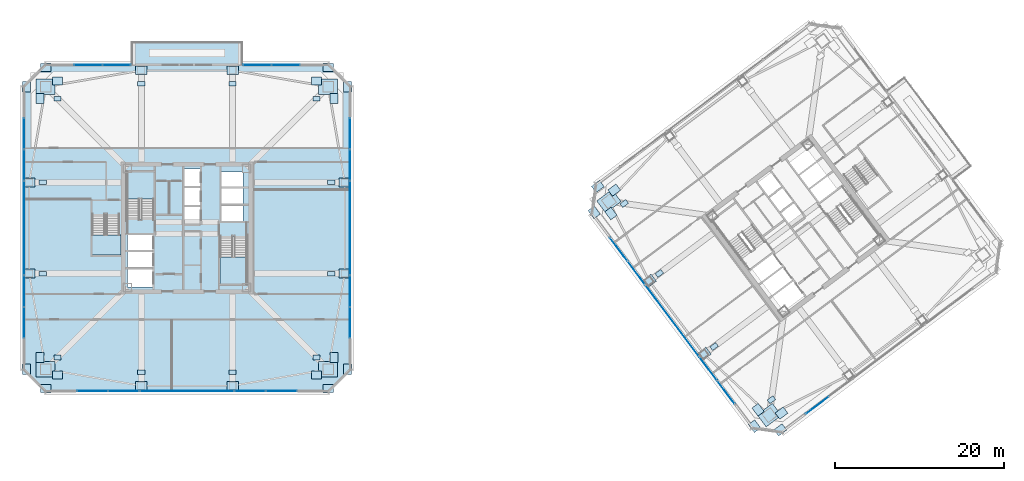
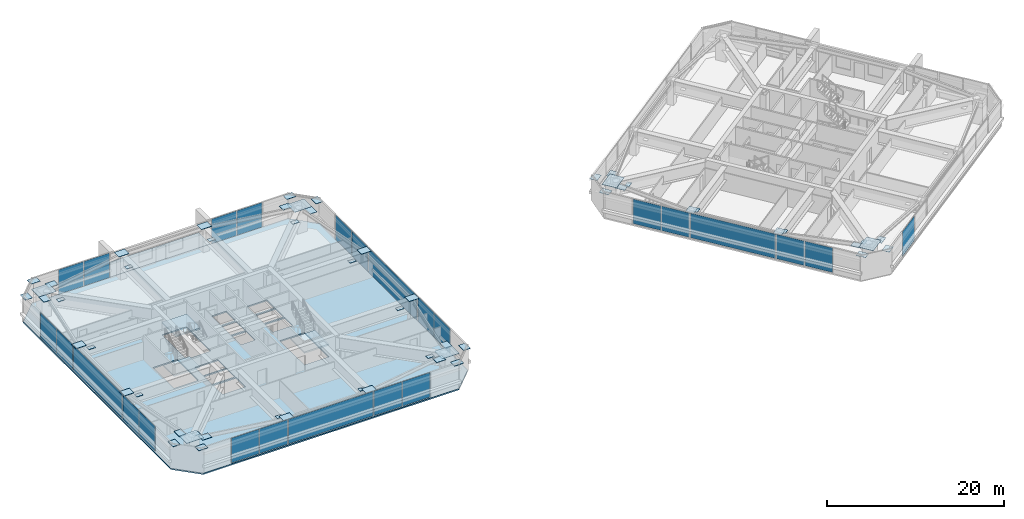
# One storey, part 30 of 42: 81 plates, 5 slabs, 18 elements without a shape of their own.
"""IFC4 building model written with IfcOpenShell, lengths in metres."""

from ifc_helpers import new_model, si_unit, direction, frame, origin, origin_2d, place, context, subcontext, project, spatial, polyline, rectangle, outline, extrude, material, layer, layer_set, type_object, element, aggregate, save


model = new_model("IFC4")

# Units and contexts
model_context = context("Model", 3, precision=1e-05, world=origin(), true_north=direction((0.0, 1.0)))
body_context = subcontext(model_context, "Body", "Model", "MODEL_VIEW")
ifc_project = project(units=[si_unit("LENGTHUNIT", "METRE"), si_unit("AREAUNIT", "SQUARE_METRE"), si_unit("VOLUMEUNIT", "CUBIC_METRE"), si_unit("PLANEANGLEUNIT", "RADIAN"), si_unit("MASSUNIT", "GRAM", prefix="KILO")], contexts=[model_context])

# Site, building, storey
site_placement = place(None, origin())
site = spatial("IfcSite", under=ifc_project, at=site_placement, CompositionType="ELEMENT")
building_placement = place(site_placement, origin())
building = spatial("IfcBuilding", under=site, at=building_placement, Name="Tashvorn Skyway Center", CompositionType="ELEMENT")
storey_placement = place(building_placement, frame((0.0, 0.0, 153.449951171875)))
storey = spatial("IfcBuildingStorey", under=building, at=storey_placement, Name="L41", CompositionType="ELEMENT", Elevation=153.449951171875)

# Curtain wall, plates
ifc_material_1 = material(Name="Thermally broken bronze-anodized aluminium 6063-T6", Category="aluminium")
curtain_wall_type = type_object("IfcCurtainWallType", Name="CW-CW-Z3", PredefinedType="NOTDEFINED", material=ifc_material_1)
curtain_wall_1_placement = place(storey_placement, origin())
curtain_wall_1 = element("IfcCurtainWall", 1, at=curtain_wall_1_placement, inside=storey, type_object=curtain_wall_type, Name="Tower 1 L41 South Unitised Curtain Wall Glazing Group 1", PredefinedType="NOTDEFINED")
ifc_material_2 = material(Name="Low-E solar-control double insulating safety glass", Category="glass")
ifc_layer_1 = layer(ifc_material_2, 0.0400390625)
ifc_layer_set_1 = layer_set([ifc_layer_1], Name="Low-E solar-control double insulating safety glass")
plate_type_1 = type_object("IfcPlateType", Name="CWP-CW-Z3", PredefinedType="CURTAIN_PANEL", material=ifc_layer_set_1)
plate_1_placement = place(storey_placement, frame((53.16796875, 12.719970703125, 0.0751953125), z_axis=(0.0, 0.0, 1.0), x_axis=(-1.0, 0.0, 0.0)))
plate_1 = element("IfcPlate", 2, at=plate_1_placement, type_object=plate_type_1, Name="CW-Z3 panel 1.1", PredefinedType="CURTAIN_PANEL", context=body_context, shape_type="SweptSolid", body=[
    extrude(rectangle(XDim=3.616455078125, YDim=0.0400390625, at=origin_2d()), origin(), (0.0, 0.0, 1.0), 3.39990234375),
])
plate_2_placement = place(storey_placement, frame((49.4765625, 12.719970703125, 0.0751953125), z_axis=(0.0, 0.0, 1.0), x_axis=(-1.0, 0.0, 0.0)))
plate_2 = element("IfcPlate", 3, at=plate_2_placement, type_object=plate_type_1, Name="CW-Z3 panel 2.1", PredefinedType="CURTAIN_PANEL", context=body_context, shape_type="SweptSolid", body=[
    extrude(rectangle(XDim=3.616455078125, YDim=0.0400390625, at=origin_2d()), origin(), (0.0, 0.0, 1.0), 3.39990234375),
])
aggregate(curtain_wall_1, [plate_1, plate_2])

# Curtain wall, plate
curtain_wall_2_placement = place(storey_placement, origin())
curtain_wall_2 = element("IfcCurtainWall", 4, at=curtain_wall_2_placement, inside=storey, type_object=curtain_wall_type, Name="Tower 1 L41 South Unitised Curtain Wall Glazing Group 2", PredefinedType="NOTDEFINED")
plate_3_placement = place(storey_placement, frame((42.0, 12.719970703125, 0.0751953125), z_axis=(0.0, 0.0, 1.0), x_axis=(-1.0, 0.0, 0.0)))
plate_3 = element("IfcPlate", 5, at=plate_3_placement, type_object=plate_type_1, Name="CW-Z3 panel 1.1", PredefinedType="CURTAIN_PANEL", context=body_context, shape_type="SweptSolid", body=[
    extrude(rectangle(XDim=11.03662109375, YDim=0.0400390625, at=origin_2d()), origin(), (0.0, 0.0, 1.0), 3.39990234375),
])
aggregate(curtain_wall_2, [plate_3])

# Curtain wall, plates
curtain_wall_3_placement = place(storey_placement, origin())
curtain_wall_3 = element("IfcCurtainWall", 6, at=curtain_wall_3_placement, inside=storey, type_object=curtain_wall_type, Name="Tower 1 L41 South Unitised Curtain Wall Glazing Group 3", PredefinedType="NOTDEFINED")
plate_4_placement = place(storey_placement, frame((34.5234375, 12.719970703125, 0.0751953125), z_axis=(0.0, 0.0, 1.0), x_axis=(-1.0, 0.0, 0.0)))
plate_4 = element("IfcPlate", 7, at=plate_4_placement, type_object=plate_type_1, Name="CW-Z3 panel 1.1", PredefinedType="CURTAIN_PANEL", context=body_context, shape_type="SweptSolid", body=[
    extrude(rectangle(XDim=3.616455078125, YDim=0.0400390625, at=origin_2d()), origin(), (0.0, 0.0, 1.0), 3.39990234375),
])
plate_5_placement = place(storey_placement, frame((30.83203125, 12.719970703125, 0.0751953125), z_axis=(0.0, 0.0, 1.0), x_axis=(-1.0, 0.0, 0.0)))
plate_5 = element("IfcPlate", 8, at=plate_5_placement, type_object=plate_type_1, Name="CW-Z3 panel 2.1", PredefinedType="CURTAIN_PANEL", context=body_context, shape_type="SweptSolid", body=[
    extrude(rectangle(XDim=3.616455078125, YDim=0.0400390625, at=origin_2d()), origin(), (0.0, 0.0, 1.0), 3.39990234375),
])
aggregate(curtain_wall_3, [plate_4, plate_5])

curtain_wall_4_placement = place(storey_placement, origin())
curtain_wall_4 = element("IfcCurtainWall", 9, at=curtain_wall_4_placement, inside=storey, type_object=curtain_wall_type, Name="Tower 1 L41 West Unitised Curtain Wall Glazing Group 1", PredefinedType="NOTDEFINED")
plate_6_placement = place(storey_placement, frame((22.719970703125, 20.83203125, 0.0751953125), z_axis=(0.0, 0.0, 1.0), x_axis=(0.0, 1.0, 0.0)))
plate_6 = element("IfcPlate", 10, at=plate_6_placement, type_object=plate_type_1, Name="CW-Z3 panel 1.1", PredefinedType="CURTAIN_PANEL", context=body_context, shape_type="SweptSolid", body=[
    extrude(rectangle(XDim=3.616455078125, YDim=0.0400390625, at=origin_2d()), origin(), (0.0, 0.0, 1.0), 3.39990234375),
])
plate_7_placement = place(storey_placement, frame((22.719970703125, 24.5234375, 0.0751953125), z_axis=(0.0, 0.0, 1.0), x_axis=(0.0, 1.0, 0.0)))
plate_7 = element("IfcPlate", 11, at=plate_7_placement, type_object=plate_type_1, Name="CW-Z3 panel 2.1", PredefinedType="CURTAIN_PANEL", context=body_context, shape_type="SweptSolid", body=[
    extrude(rectangle(XDim=3.616455078125, YDim=0.0400390625, at=origin_2d()), origin(), (0.0, 0.0, 1.0), 3.39990234375),
])
aggregate(curtain_wall_4, [plate_6, plate_7])

# Curtain wall, plate
curtain_wall_5_placement = place(storey_placement, origin())
curtain_wall_5 = element("IfcCurtainWall", 12, at=curtain_wall_5_placement, inside=storey, type_object=curtain_wall_type, Name="Tower 1 L41 West Unitised Curtain Wall Glazing Group 2", PredefinedType="NOTDEFINED")
plate_8_placement = place(storey_placement, frame((22.719970703125, 32.0, 0.0751953125), z_axis=(0.0, 0.0, 1.0), x_axis=(0.0, 1.0, 0.0)))
plate_8 = element("IfcPlate", 13, at=plate_8_placement, type_object=plate_type_1, Name="CW-Z3 panel 1.1", PredefinedType="CURTAIN_PANEL", context=body_context, shape_type="SweptSolid", body=[
    extrude(rectangle(XDim=11.03662109375, YDim=0.0400390625, at=origin_2d()), origin(), (0.0, 0.0, 1.0), 3.39990234375),
])
aggregate(curtain_wall_5, [plate_8])

# Curtain wall, plates
curtain_wall_6_placement = place(storey_placement, origin())
curtain_wall_6 = element("IfcCurtainWall", 14, at=curtain_wall_6_placement, inside=storey, type_object=curtain_wall_type, Name="Tower 1 L41 West Unitised Curtain Wall Glazing Group 3", PredefinedType="NOTDEFINED")
plate_9_placement = place(storey_placement, frame((22.719970703125, 39.4765625, 0.0751953125), z_axis=(0.0, 0.0, 1.0), x_axis=(0.0, 1.0, 0.0)))
plate_9 = element("IfcPlate", 15, at=plate_9_placement, type_object=plate_type_1, Name="CW-Z3 panel 1.1", PredefinedType="CURTAIN_PANEL", context=body_context, shape_type="SweptSolid", body=[
    extrude(rectangle(XDim=3.616455078125, YDim=0.0400390625, at=origin_2d()), origin(), (0.0, 0.0, 1.0), 3.39990234375),
])
plate_10_placement = place(storey_placement, frame((22.719970703125, 43.16796875, 0.0751953125), z_axis=(0.0, 0.0, 1.0), x_axis=(0.0, 1.0, 0.0)))
plate_10 = element("IfcPlate", 16, at=plate_10_placement, type_object=plate_type_1, Name="CW-Z3 panel 2.1", PredefinedType="CURTAIN_PANEL", context=body_context, shape_type="SweptSolid", body=[
    extrude(rectangle(XDim=3.616455078125, YDim=0.0400390625, at=origin_2d()), origin(), (0.0, 0.0, 1.0), 3.39990234375),
])
aggregate(curtain_wall_6, [plate_9, plate_10])

curtain_wall_7_placement = place(storey_placement, origin())
curtain_wall_7 = element("IfcCurtainWall", 17, at=curtain_wall_7_placement, inside=storey, type_object=curtain_wall_type, Name="Tower 1 L41 North Curtain Wall L Glazing Group 1", PredefinedType="NOTDEFINED")
plate_11_placement = place(storey_placement, frame((30.32861328125, 51.280029296875, 0.0751953125), z_axis=(0.0, 0.0, 1.0), x_axis=(1.0, 0.0, 0.0)))
plate_11 = element("IfcPlate", 18, at=plate_11_placement, type_object=plate_type_1, Name="CW-Z3 panel 1.1", PredefinedType="CURTAIN_PANEL", context=body_context, shape_type="SweptSolid", body=[
    extrude(rectangle(XDim=3.28076171875, YDim=0.0400390625, at=origin_2d()), origin(), (0.0, 0.0, 1.0), 3.39990234375),
])
plate_12_placement = place(storey_placement, frame((33.6845703125, 51.280029296875, 0.0751953125), z_axis=(0.0, 0.0, 1.0), x_axis=(1.0, 0.0, 0.0)))
plate_12 = element("IfcPlate", 19, at=plate_12_placement, type_object=plate_type_1, Name="CW-Z3 panel 2.1", PredefinedType="CURTAIN_PANEL", context=body_context, shape_type="SweptSolid", body=[
    extrude(rectangle(XDim=3.28076171875, YDim=0.0400390625, at=origin_2d()), origin(), (0.0, 0.0, 1.0), 3.39990234375),
])
aggregate(curtain_wall_7, [plate_11, plate_12])

curtain_wall_8_placement = place(storey_placement, origin())
curtain_wall_8 = element("IfcCurtainWall", 20, at=curtain_wall_8_placement, inside=storey, type_object=curtain_wall_type, Name="Tower 1 L41 North Curtain Wall R Glazing Group 1", PredefinedType="NOTDEFINED")
plate_13_placement = place(storey_placement, frame((50.3154296875, 51.280029296875, 0.0751953125), z_axis=(0.0, 0.0, 1.0), x_axis=(1.0, 0.0, 0.0)))
plate_13 = element("IfcPlate", 21, at=plate_13_placement, type_object=plate_type_1, Name="CW-Z3 panel 1.1", PredefinedType="CURTAIN_PANEL", context=body_context, shape_type="SweptSolid", body=[
    extrude(rectangle(XDim=3.28076171875, YDim=0.0400390625, at=origin_2d()), origin(), (0.0, 0.0, 1.0), 3.39990234375),
])
plate_14_placement = place(storey_placement, frame((53.67138671875, 51.280029296875, 0.0751953125), z_axis=(0.0, 0.0, 1.0), x_axis=(1.0, 0.0, 0.0)))
plate_14 = element("IfcPlate", 22, at=plate_14_placement, type_object=plate_type_1, Name="CW-Z3 panel 2.1", PredefinedType="CURTAIN_PANEL", context=body_context, shape_type="SweptSolid", body=[
    extrude(rectangle(XDim=3.28076171875, YDim=0.0400390625, at=origin_2d()), origin(), (0.0, 0.0, 1.0), 3.39990234375),
])
aggregate(curtain_wall_8, [plate_13, plate_14])

curtain_wall_9_placement = place(storey_placement, origin())
curtain_wall_9 = element("IfcCurtainWall", 23, at=curtain_wall_9_placement, inside=storey, type_object=curtain_wall_type, Name="Tower 1 L41 East Unitised Curtain Wall Glazing Group 1", PredefinedType="NOTDEFINED")
plate_15_placement = place(storey_placement, frame((61.280029296875, 43.16796875, 0.0751953125), z_axis=(0.0, 0.0, 1.0), x_axis=(0.0, -1.0, 0.0)))
plate_15 = element("IfcPlate", 24, at=plate_15_placement, type_object=plate_type_1, Name="CW-Z3 panel 1.1", PredefinedType="CURTAIN_PANEL", context=body_context, shape_type="SweptSolid", body=[
    extrude(rectangle(XDim=3.616455078125, YDim=0.0400390625, at=origin_2d()), origin(), (0.0, 0.0, 1.0), 3.39990234375),
])
plate_16_placement = place(storey_placement, frame((61.280029296875, 39.4765625, 0.0751953125), z_axis=(0.0, 0.0, 1.0), x_axis=(0.0, -1.0, 0.0)))
plate_16 = element("IfcPlate", 25, at=plate_16_placement, type_object=plate_type_1, Name="CW-Z3 panel 2.1", PredefinedType="CURTAIN_PANEL", context=body_context, shape_type="SweptSolid", body=[
    extrude(rectangle(XDim=3.616455078125, YDim=0.0400390625, at=origin_2d()), origin(), (0.0, 0.0, 1.0), 3.39990234375),
])
aggregate(curtain_wall_9, [plate_15, plate_16])

# Curtain wall, plate
curtain_wall_10_placement = place(storey_placement, origin())
curtain_wall_10 = element("IfcCurtainWall", 26, at=curtain_wall_10_placement, inside=storey, type_object=curtain_wall_type, Name="Tower 1 L41 East Unitised Curtain Wall Glazing Group 2", PredefinedType="NOTDEFINED")
plate_17_placement = place(storey_placement, frame((61.280029296875, 32.0, 0.0751953125), z_axis=(0.0, 0.0, 1.0), x_axis=(0.0, -1.0, 0.0)))
plate_17 = element("IfcPlate", 27, at=plate_17_placement, type_object=plate_type_1, Name="CW-Z3 panel 1.1", PredefinedType="CURTAIN_PANEL", context=body_context, shape_type="SweptSolid", body=[
    extrude(rectangle(XDim=11.03662109375, YDim=0.0400390625, at=origin_2d()), origin(), (0.0, 0.0, 1.0), 3.39990234375),
])
aggregate(curtain_wall_10, [plate_17])

# Curtain wall, plates
curtain_wall_11_placement = place(storey_placement, origin())
curtain_wall_11 = element("IfcCurtainWall", 28, at=curtain_wall_11_placement, inside=storey, type_object=curtain_wall_type, Name="Tower 1 L41 East Unitised Curtain Wall Glazing Group 3", PredefinedType="NOTDEFINED")
plate_18_placement = place(storey_placement, frame((61.280029296875, 24.5234375, 0.0751953125), z_axis=(0.0, 0.0, 1.0), x_axis=(0.0, -1.0, 0.0)))
plate_18 = element("IfcPlate", 29, at=plate_18_placement, type_object=plate_type_1, Name="CW-Z3 panel 1.1", PredefinedType="CURTAIN_PANEL", context=body_context, shape_type="SweptSolid", body=[
    extrude(rectangle(XDim=3.616455078125, YDim=0.0400390625, at=origin_2d()), origin(), (0.0, 0.0, 1.0), 3.39990234375),
])
plate_19_placement = place(storey_placement, frame((61.280029296875, 20.83203125, 0.0751953125), z_axis=(0.0, 0.0, 1.0), x_axis=(0.0, -1.0, 0.0)))
plate_19 = element("IfcPlate", 30, at=plate_19_placement, type_object=plate_type_1, Name="CW-Z3 panel 2.1", PredefinedType="CURTAIN_PANEL", context=body_context, shape_type="SweptSolid", body=[
    extrude(rectangle(XDim=3.616455078125, YDim=0.0400390625, at=origin_2d()), origin(), (0.0, 0.0, 1.0), 3.39990234375),
])
aggregate(curtain_wall_11, [plate_18, plate_19])

# Curtain wall, plate
curtain_wall_12_placement = place(storey_placement, origin())
curtain_wall_12 = element("IfcCurtainWall", 31, at=curtain_wall_12_placement, inside=storey, type_object=curtain_wall_type, Name="Tower 2 L41 South Unitised Curtain Wall Glazing Group 3", PredefinedType="NOTDEFINED")
plate_20_placement = place(storey_placement, frame((116.513671875, 11.03515625, 0.0751953125), z_axis=(0.0, 0.0, 1.0), x_axis=(-0.799996599484, -0.600004533995, 0.0)))
plate_20 = element("IfcPlate", 32, at=plate_20_placement, type_object=plate_type_1, Name="CW-Z3 panel 2.1", PredefinedType="CURTAIN_PANEL", context=body_context, shape_type="SweptSolid", body=[
    extrude(rectangle(XDim=3.41650390625, YDim=0.0400390625, at=origin_2d()), origin(), (0.0, 0.0, 1.0), 3.39990234375),
])
aggregate(curtain_wall_12, [plate_20])

# Curtain wall, plates
curtain_wall_13_placement = place(storey_placement, origin())
curtain_wall_13 = element("IfcCurtainWall", 33, at=curtain_wall_13_placement, inside=storey, type_object=curtain_wall_type, Name="Tower 2 L41 West Unitised Curtain Wall Glazing Group 1", PredefinedType="NOTDEFINED")
plate_21_placement = place(storey_placement, frame((105.716796875, 12.57763671875, 0.0751953125), z_axis=(0.0, 0.0, 1.0), x_axis=(-0.600004533995, 0.799996599484, 0.0)))
plate_21 = element("IfcPlate", 34, at=plate_21_placement, type_object=plate_type_1, Name="CW-Z3 panel 1.1", PredefinedType="CURTAIN_PANEL", context=body_context, shape_type="SweptSolid", body=[
    extrude(rectangle(XDim=3.41650390625, YDim=0.0400390625, at=origin_2d()), origin(), (0.0, 0.0, 1.0), 3.39990234375),
])
plate_22_placement = place(storey_placement, frame((103.621826171875, 15.370849609375, 0.0751953125), z_axis=(0.0, 0.0, 1.0), x_axis=(-0.600004533995, 0.799996599484, 0.0)))
plate_22 = element("IfcPlate", 35, at=plate_22_placement, type_object=plate_type_1, Name="CW-Z3 panel 2.1", PredefinedType="CURTAIN_PANEL", context=body_context, shape_type="SweptSolid", body=[
    extrude(rectangle(XDim=3.41650390625, YDim=0.0400390625, at=origin_2d()), origin(), (0.0, 0.0, 1.0), 3.39990234375),
])
aggregate(curtain_wall_13, [plate_21, plate_22])

# Curtain wall, plate
curtain_wall_14_placement = place(storey_placement, origin())
curtain_wall_14 = element("IfcCurtainWall", 36, at=curtain_wall_14_placement, inside=storey, type_object=curtain_wall_type, Name="Tower 2 L41 West Unitised Curtain Wall Glazing Group 2", PredefinedType="NOTDEFINED")
plate_23_placement = place(storey_placement, frame((99.3759765625, 21.031982421875, 0.0751953125), z_axis=(0.0, 0.0, 1.0), x_axis=(-0.599996977339, 0.800002266987, 0.0)))
plate_23 = element("IfcPlate", 37, at=plate_23_placement, type_object=plate_type_1, Name="CW-Z3 panel 1.1", PredefinedType="CURTAIN_PANEL", context=body_context, shape_type="SweptSolid", body=[
    extrude(rectangle(XDim=10.436767578125, YDim=0.0400390625, at=origin_2d()), origin(), (0.0, 0.0, 1.0), 3.39990234375),
])
aggregate(curtain_wall_14, [plate_23])

# Curtain wall, plates
curtain_wall_15_placement = place(storey_placement, origin())
curtain_wall_15 = element("IfcCurtainWall", 38, at=curtain_wall_15_placement, inside=storey, type_object=curtain_wall_type, Name="Tower 2 L41 West Unitised Curtain Wall Glazing Group 3", PredefinedType="NOTDEFINED")
plate_24_placement = place(storey_placement, frame((95.130126953125, 26.693359375, 0.0751953125), z_axis=(0.0, 0.0, 1.0), x_axis=(-0.600004533995, 0.799996599484, 0.0)))
plate_24 = element("IfcPlate", 39, at=plate_24_placement, type_object=plate_type_1, Name="CW-Z3 panel 1.1", PredefinedType="CURTAIN_PANEL", context=body_context, shape_type="SweptSolid", body=[
    extrude(rectangle(XDim=3.41650390625, YDim=0.0400390625, at=origin_2d()), origin(), (0.0, 0.0, 1.0), 3.39990234375),
])
plate_25_placement = place(storey_placement, frame((93.03515625, 29.486328125, 0.0751953125), z_axis=(0.0, 0.0, 1.0), x_axis=(-0.600004533995, 0.799996599484, 0.0)))
plate_25 = element("IfcPlate", 40, at=plate_25_placement, type_object=plate_type_1, Name="CW-Z3 panel 2.1", PredefinedType="CURTAIN_PANEL", context=body_context, shape_type="SweptSolid", body=[
    extrude(rectangle(XDim=3.41650390625, YDim=0.0400390625, at=origin_2d()), origin(), (0.0, 0.0, 1.0), 3.39990234375),
])
aggregate(curtain_wall_15, [plate_24, plate_25])

# Plates
ifc_material_3 = material(Name="Steel ASTM A572 Grade 50", Category="steel")
ifc_layer_2 = layer(ifc_material_3, 0.034912109375)
ifc_layer_set_2 = layer_set([ifc_layer_2], Name="Steel ASTM A572 Grade 50")
plate_type_2 = type_object("IfcPlateType", Name="PLT-CAP-35", PredefinedType="USERDEFINED", material=ifc_layer_set_2)
for number, where, z_axis, x_axis, name in (
    (41, (25.300048828125, 13.02001953125, 3.3173828125), (0.0, 0.0, 1.0), (1.0, 0.0, 0.0), "Tower 1 Zone 3 S Brace Top End Plate L"),
    (42, (58.699951171875, 13.02001953125, 3.3173828125), (0.0, 0.0, 1.0), (1.0, 0.0, 0.0), "Tower 1 Zone 3 S Brace Top End Plate R"),
    (43, (60.97998046875, 15.300048828125, 3.3173828125), (0.0, 0.0, 1.0), (0.0, 1.0, 0.0), "Tower 1 Zone 3 E Brace Top End Plate L"),
    (44, (60.97998046875, 48.699951171875, 3.3173828125), (0.0, 0.0, 1.0), (0.0, 1.0, 0.0), "Tower 1 Zone 3 E Brace Top End Plate R"),
    (45, (58.699951171875, 50.97998046875, 3.3173828125), (0.0, 0.0, 1.0), (-1.0, 0.0, 0.0), "Tower 1 Zone 3 N Brace Top End Plate L"),
    (46, (25.300048828125, 50.97998046875, 3.3173828125), (0.0, 0.0, 1.0), (-1.0, 0.0, 0.0), "Tower 1 Zone 3 N Brace Top End Plate R"),
    (47, (23.02001953125, 48.699951171875, 3.3173828125), (0.0, 0.0, 1.0), (0.0, -1.0, 0.0), "Tower 1 Zone 3 W Brace Top End Plate L"),
    (48, (23.02001953125, 15.300048828125, 3.3173828125), (0.0, 0.0, 1.0), (0.0, -1.0, 0.0), "Tower 1 Zone 3 W Brace Top End Plate R"),
    (49, (112.14794921875, 8.135986328125, 3.3173828125), (0.0, 0.0, 1.0), (0.799999996291, 0.600000004945, 0.0), "Tower 2 Zone 3 S Brace Top End Plate L"),
    (50, (90.572021484375, 36.904052734375, 3.3173828125), (0.0, 0.0, 1.0), (-0.799999996291, -0.600000004945, 0.0), "Tower 2 Zone 3 N Brace Top End Plate R"),
    (51, (90.135986328125, 33.85205078125, 3.3173828125), (0.0, 0.0, 1.0), (0.600000004945, -0.799999996291, 0.0), "Tower 2 Zone 3 W Brace Top End Plate L"),
    (52, (109.095947265625, 8.572021484375, 3.3173828125), (0.0, 0.0, 1.0), (0.600000004945, -0.799999996291, 0.0), "Tower 2 Zone 3 W Brace Top End Plate R"),
    (53, (26.699951171875, 14.6201171875, 3.3173828125), (0.0, 0.0, 1.0), (1.0, 0.0, 0.0), "Tower 1 Zone 4 S Brace Base End Plate L"),
    (54, (57.300048828125, 14.6201171875, 3.3173828125), (0.0, 0.0, 1.0), (1.0, 0.0, 0.0), "Tower 1 Zone 4 S Brace Base End Plate R"),
    (55, (59.3798828125, 16.699951171875, 3.3173828125), (0.0, 0.0, 1.0), (0.0, 1.0, 0.0), "Tower 1 Zone 4 E Brace Base End Plate L"),
    (56, (59.3798828125, 47.300048828125, 3.3173828125), (0.0, 0.0, 1.0), (0.0, 1.0, 0.0), "Tower 1 Zone 4 E Brace Base End Plate R"),
    (57, (57.300048828125, 49.3798828125, 3.3173828125), (0.0, 0.0, 1.0), (-1.0, 0.0, 0.0), "Tower 1 Zone 4 N Brace Base End Plate L"),
    (58, (26.699951171875, 49.3798828125, 3.3173828125), (0.0, 0.0, 1.0), (-1.0, 0.0, 0.0), "Tower 1 Zone 4 N Brace Base End Plate R"),
    (59, (24.6201171875, 47.300048828125, 3.3173828125), (0.0, 0.0, 1.0), (0.0, -1.0, 0.0), "Tower 1 Zone 4 W Brace Base End Plate L"),
    (60, (24.6201171875, 16.699951171875, 3.3173828125), (0.0, 0.0, 1.0), (0.0, -1.0, 0.0), "Tower 1 Zone 4 W Brace Base End Plate R"),
    (61, (112.2880859375, 10.115966796875, 3.3173828125), (0.0, 0.0, 1.0), (0.799999996291, 0.600000004945, 0.0), "Tower 2 Zone 4 S Brace Base End Plate L"),
    (62, (92.511962890625, 36.48388671875, 3.3173828125), (0.0, 0.0, 1.0), (-0.799999996291, -0.600000004945, 0.0), "Tower 2 Zone 4 N Brace Base End Plate R"),
    (63, (92.115966796875, 33.7119140625, 3.3173828125), (0.0, 0.0, 1.0), (0.600000004945, -0.799999996291, 0.0), "Tower 2 Zone 4 W Brace Base End Plate L"),
    (64, (109.51611328125, 10.511962890625, 3.3173828125), (0.0, 0.0, 1.0), (0.600000004945, -0.799999996291, 0.0), "Tower 2 Zone 4 W Brace Base End Plate R"),
):
    element("IfcPlate", number, at=place(storey_placement, frame(where, z_axis=z_axis, x_axis=x_axis)), inside=storey, type_object=plate_type_2, Name=name, ObjectType="END PLATE", PredefinedType="USERDEFINED", context=body_context, shape_type="SweptSolid", body=[
        extrude(rectangle(XDim=1.199951171875, YDim=0.919921875, at=origin_2d()), origin(), (0.0, 0.0, 1.0), 0.034912109375),
    ])
ifc_layer_3 = layer(ifc_material_3, 0.050048828125)
ifc_layer_set_3 = layer_set([ifc_layer_3], Name="Steel ASTM A572 Grade 50")
plate_type_3 = type_object("IfcPlateType", Name="PLT-ENDCAP-1650", PredefinedType="USERDEFINED", material=ifc_layer_set_3)
for number, where, z_axis, x_axis, name in (
    (65, (25.300048828125, 15.300048828125, 3.35986328125), (0.0, 0.0, 1.0), (1.0, 0.0, 0.0), "Tower 1 L41 MC-SW Setback Cap End Plate"),
    (66, (58.699951171875, 15.300048828125, 3.35986328125), (0.0, 0.0, 1.0), (1.0, 0.0, 0.0), "Tower 1 L41 MC-SE Setback Cap End Plate"),
    (67, (58.699951171875, 48.699951171875, 3.35986328125), (0.0, 0.0, 1.0), (1.0, 0.0, 0.0), "Tower 1 L41 MC-NE Setback Cap End Plate"),
    (68, (25.300048828125, 48.699951171875, 3.35986328125), (0.0, 0.0, 1.0), (1.0, 0.0, 0.0), "Tower 1 L41 MC-NW Setback Cap End Plate"),
    (69, (110.840087890625, 9.8798828125, 3.35986328125), (0.0, 0.0, 1.0), (0.799999996291, 0.600000004945, 0.0), "Tower 2 L41 MC-SW Setback Cap End Plate"),
    (70, (91.8798828125, 35.159912109375, 3.35986328125), (0.0, 0.0, 1.0), (0.799999996291, 0.600000004945, 0.0), "Tower 2 L41 MC-NW Setback Cap End Plate"),
):
    element("IfcPlate", number, at=place(storey_placement, frame(where, z_axis=z_axis, x_axis=x_axis)), inside=storey, type_object=plate_type_3, Name=name, ObjectType="END PLATE", PredefinedType="USERDEFINED", context=body_context, shape_type="SweptSolid", body=[
        extrude(rectangle(XDim=2.25, YDim=1.780029296875, at=origin_2d()), origin(), (0.0, 0.0, 1.0), 0.050048828125),
    ])
ifc_layer_4 = layer(ifc_material_3, 0.050048828125)
ifc_layer_set_4 = layer_set([ifc_layer_4], Name="Steel ASTM A572 Grade 50")
plate_type_4 = type_object("IfcPlateType", Name="PLT-ENDCAP-900", PredefinedType="USERDEFINED", material=ifc_layer_set_4)
for number, where, z_axis, x_axis, name in (
    (71, (36.60009765625, 13.35009765625, 3.35986328125), (0.0, 0.0, 1.0), (1.0, 0.0, 0.0), "Tower 1 L41 FC-S1 Setback Cap End Plate"),
    (72, (47.39990234375, 13.35009765625, 3.35986328125), (0.0, 0.0, 1.0), (1.0, 0.0, 0.0), "Tower 1 L41 FC-S2 Setback Cap End Plate"),
    (73, (60.64990234375, 26.60009765625, 3.35986328125), (0.0, 0.0, 1.0), (1.0, 0.0, 0.0), "Tower 1 L41 FC-E1 Setback Cap End Plate"),
    (74, (60.64990234375, 37.39990234375, 3.35986328125), (0.0, 0.0, 1.0), (1.0, 0.0, 0.0), "Tower 1 L41 FC-E2 Setback Cap End Plate"),
    (75, (47.39990234375, 50.64990234375, 3.35986328125), (0.0, 0.0, 1.0), (1.0, 0.0, 0.0), "Tower 1 L41 FC-N1 Setback Cap End Plate"),
    (76, (36.60009765625, 50.64990234375, 3.35986328125), (0.0, 0.0, 1.0), (1.0, 0.0, 0.0), "Tower 1 L41 FC-N2 Setback Cap End Plate"),
    (77, (23.35009765625, 37.39990234375, 3.35986328125), (0.0, 0.0, 1.0), (1.0, 0.0, 0.0), "Tower 1 L41 FC-W1 Setback Cap End Plate"),
    (78, (23.35009765625, 26.60009765625, 3.35986328125), (0.0, 0.0, 1.0), (1.0, 0.0, 0.0), "Tower 1 L41 FC-W2 Setback Cap End Plate"),
    (79, (96.639892578125, 25.72998046875, 3.35986328125), (0.0, 0.0, 1.0), (0.799999996291, 0.600000004945, 0.0), "Tower 2 L41 FC-W1 Setback Cap End Plate"),
    (80, (103.1201171875, 17.090087890625, 3.35986328125), (0.0, 0.0, 1.0), (0.799999996291, 0.600000004945, 0.0), "Tower 2 L41 FC-W2 Setback Cap End Plate"),
):
    element("IfcPlate", number, at=place(storey_placement, frame(where, z_axis=z_axis, x_axis=x_axis)), inside=storey, type_object=plate_type_4, Name=name, ObjectType="END PLATE", PredefinedType="USERDEFINED", context=body_context, shape_type="SweptSolid", body=[
        extrude(rectangle(XDim=1.35009765625, YDim=1.050048828125, at=origin_2d()), origin(), (0.0, 0.0, 1.0), 0.050048828125),
    ])
ifc_layer_5 = layer(ifc_material_3, 0.030029296875)
ifc_layer_set_5 = layer_set([ifc_layer_5], Name="Steel ASTM A572 Grade 50")
plate_type_5 = type_object("IfcPlateType", Name="PLT-STIFF-30", PredefinedType="SHEET", material=ifc_layer_set_5)
for number, where, z_axis, x_axis, name in (
    (81, (26.699951171875, 16.699951171875, 2.455078125), (0.0, 0.0, 1.0), (1.0, 0.0, 0.0), "Tower 1 L41 Transfer Bearing Stiffener MC-SW"),
    (82, (57.300048828125, 16.699951171875, 2.455078125), (0.0, 0.0, 1.0), (1.0, 0.0, 0.0), "Tower 1 L41 Transfer Bearing Stiffener MC-SE"),
    (83, (57.300048828125, 47.300048828125, 2.455078125), (0.0, 0.0, 1.0), (1.0, 0.0, 0.0), "Tower 1 L41 Transfer Bearing Stiffener MC-NE"),
    (84, (26.699951171875, 47.300048828125, 2.455078125), (0.0, 0.0, 1.0), (1.0, 0.0, 0.0), "Tower 1 L41 Transfer Bearing Stiffener MC-NW"),
    (85, (36.60009765625, 14.949951171875, 2.455078125), (0.0, 0.0, 1.0), (1.0, 0.0, 0.0), "Tower 1 L41 Transfer Bearing Stiffener FC-S1"),
    (86, (47.39990234375, 14.949951171875, 2.455078125), (0.0, 0.0, 1.0), (1.0, 0.0, 0.0), "Tower 1 L41 Transfer Bearing Stiffener FC-S2"),
    (87, (59.050048828125, 26.60009765625, 2.455078125), (0.0, 0.0, 1.0), (1.0, 0.0, 0.0), "Tower 1 L41 Transfer Bearing Stiffener FC-E1"),
    (88, (59.050048828125, 37.39990234375, 2.455078125), (0.0, 0.0, 1.0), (1.0, 0.0, 0.0), "Tower 1 L41 Transfer Bearing Stiffener FC-E2"),
    (89, (47.39990234375, 49.050048828125, 2.455078125), (0.0, 0.0, 1.0), (1.0, 0.0, 0.0), "Tower 1 L41 Transfer Bearing Stiffener FC-N1"),
    (90, (36.60009765625, 49.050048828125, 2.455078125), (0.0, 0.0, 1.0), (1.0, 0.0, 0.0), "Tower 1 L41 Transfer Bearing Stiffener FC-N2"),
    (91, (24.949951171875, 37.39990234375, 2.455078125), (0.0, 0.0, 1.0), (1.0, 0.0, 0.0), "Tower 1 L41 Transfer Bearing Stiffener FC-W1"),
    (92, (24.949951171875, 26.60009765625, 2.455078125), (0.0, 0.0, 1.0), (1.0, 0.0, 0.0), "Tower 1 L41 Transfer Bearing Stiffener FC-W2"),
    (93, (111.10009765625, 11.699951171875, 2.455078125), (0.0, 0.0, 1.0), (0.799999996291, 0.600000004945, 0.0), "Tower 2 L41 Transfer Bearing Stiffener MC-SW"),
    (94, (93.699951171875, 34.89990234375, 2.455078125), (0.0, 0.0, 1.0), (0.799999996291, 0.600000004945, 0.0), "Tower 2 L41 Transfer Bearing Stiffener MC-NW"),
    (95, (97.840087890625, 26.6298828125, 2.455078125), (0.0, 0.0, 1.0), (0.799999996291, 0.600000004945, 0.0), "Tower 2 L41 Transfer Bearing Stiffener FC-W1"),
    (96, (104.320068359375, 17.989990234375, 2.455078125), (0.0, 0.0, 1.0), (0.799999996291, 0.600000004945, 0.0), "Tower 2 L41 Transfer Bearing Stiffener FC-W2"),
):
    element("IfcPlate", number, at=place(storey_placement, frame(where, z_axis=z_axis, x_axis=x_axis)), inside=storey, type_object=plate_type_5, Name=name, PredefinedType="SHEET", context=body_context, shape_type="SweptSolid", body=[
        extrude(rectangle(XDim=0.85009765625, YDim=0.550048828125, at=origin_2d()), origin(), (0.0, 0.0, 1.0), 0.030029296875),
    ])

# Slab
ifc_material_4 = material(Name="Concrete C40/50", Category="concrete")
ifc_layer_6 = layer(ifc_material_4, 0.179931640625)
ifc_layer_set_6 = layer_set([ifc_layer_6], Name="Concrete C40/50")
slab_type_1 = type_object("IfcSlabType", Name="SLAB-FLR-180", PredefinedType="FLOOR", material=ifc_layer_set_6)
slab_1_placement = place(storey_placement, frame((0.0, 0.0, -0.179931640625)))
element("IfcSlab", 97, at=slab_1_placement, inside=storey, type_object=slab_type_1, Name="Tower 1 L41 Composite Floor Slab", PredefinedType="FLOOR", context=body_context, shape_type="SweptSolid", body=[
    extrude(outline(polyline([(25.300048828125, 12.60009765625), (58.699951171875, 12.60009765625), (61.39990234375, 15.300048828125), (61.39990234375, 48.699951171875), (58.699951171875, 51.39990234375), (25.300048828125, 51.39990234375), (22.60009765625, 48.699951171875), (22.60009765625, 15.300048828125), (25.300048828125, 12.60009765625)]), holes=[polyline([(38.10009765625, 33.080078125), (38.10009765625, 38.60009765625), (34.89990234375, 38.60009765625), (34.89990234375, 33.080078125), (38.10009765625, 33.080078125)]), polyline([(45.89990234375, 30.919921875), (45.89990234375, 25.39990234375), (49.10009765625, 25.39990234375), (49.10009765625, 30.919921875), (45.89990234375, 30.919921875)]), polyline([(30.800048828125, 33.52001953125), (30.800048828125, 28.800048828125), (34.0, 28.800048828125), (34.0, 33.52001953125), (30.800048828125, 33.52001953125)]), polyline([(34.949951171875, 29.35009765625), (37.949951171875, 29.35009765625), (37.949951171875, 31.199951171875), (34.949951171875, 31.199951171875), (34.949951171875, 29.35009765625)]), polyline([(34.949951171875, 27.35009765625), (37.949951171875, 27.35009765625), (37.949951171875, 29.199951171875), (34.949951171875, 29.199951171875), (34.949951171875, 27.35009765625)]), polyline([(34.949951171875, 25.0), (37.949951171875, 25.0), (37.949951171875, 27.14990234375), (34.949951171875, 27.14990234375), (34.949951171875, 25.0)]), polyline([(41.64990234375, 32.449951171875), (43.550048828125, 32.449951171875), (43.550048828125, 34.5), (41.64990234375, 34.5), (41.64990234375, 32.449951171875)]), polyline([(41.64990234375, 34.699951171875), (43.550048828125, 34.699951171875), (43.550048828125, 36.75), (41.64990234375, 36.75), (41.64990234375, 34.699951171875)]), polyline([(41.64990234375, 36.949951171875), (43.550048828125, 36.949951171875), (43.550048828125, 39.0), (41.64990234375, 39.0), (41.64990234375, 36.949951171875)]), polyline([(46.050048828125, 32.800048828125), (48.64990234375, 32.800048828125), (48.64990234375, 34.64990234375), (46.050048828125, 34.64990234375), (46.050048828125, 32.800048828125)]), polyline([(46.050048828125, 34.85009765625), (48.64990234375, 34.85009765625), (48.64990234375, 36.699951171875), (46.050048828125, 36.699951171875), (46.050048828125, 34.85009765625)]), polyline([(46.050048828125, 36.89990234375), (48.64990234375, 36.89990234375), (48.64990234375, 38.64990234375), (46.050048828125, 38.64990234375), (46.050048828125, 36.89990234375)])]), origin(), (0.0, 0.0, 1.0), 0.179931640625),
])

# Stair, slab
stair_type = type_object("IfcStairType", Name="STAIR-CORE-1500", PredefinedType="HALF_TURN_STAIR", material=ifc_material_4)
stair_1_placement = place(storey_placement, origin())
stair_1 = element("IfcStair", 98, at=stair_1_placement, inside=storey, type_object=stair_type, Name="L41 Tower 1 Exit Stair 1", PredefinedType="HALF_TURN_STAIR")
ifc_layer_7 = layer(ifc_material_4, 0.199951171875)
ifc_layer_set_7 = layer_set([ifc_layer_7], Name="Concrete C40/50")
slab_type_2 = type_object("IfcSlabType", Name="SLAB-LAND-200", PredefinedType="LANDING", material=ifc_layer_set_7)
slab_2_placement = place(storey_placement, frame((0.0, 0.0, 1.574951171875)))
slab_2 = element("IfcSlab", 99, at=slab_2_placement, type_object=slab_type_2, Name="ST-T1-1 landing 1", PredefinedType="LANDING", context=body_context, shape_type="SweptSolid", body=[
    extrude(outline(polyline([(38.10009765625, 35.43994140625), (38.10009765625, 38.60009765625), (34.89990234375, 38.60009765625), (34.89990234375, 35.43994140625), (38.10009765625, 35.43994140625)])), origin(), (0.0, 0.0, 1.0), 0.2001953125),
])
aggregate(stair_1, [slab_2])

stair_2_placement = place(storey_placement, origin())
stair_2 = element("IfcStair", 100, at=stair_2_placement, inside=storey, type_object=stair_type, Name="L41 Tower 1 Exit Stair 2", PredefinedType="HALF_TURN_STAIR")
slab_3_placement = place(storey_placement, frame((0.0, 0.0, 1.574951171875)))
slab_3 = element("IfcSlab", 101, at=slab_3_placement, type_object=slab_type_2, Name="ST-T1-2 landing 1", PredefinedType="LANDING", context=body_context, shape_type="SweptSolid", body=[
    extrude(outline(polyline([(45.89990234375, 28.56005859375), (45.89990234375, 25.39990234375), (49.10009765625, 25.39990234375), (49.10009765625, 28.56005859375), (45.89990234375, 28.56005859375)])), origin(), (0.0, 0.0, 1.0), 0.2001953125),
])
aggregate(stair_2, [slab_3])

stair_3_placement = place(storey_placement, origin())
stair_3 = element("IfcStair", 102, at=stair_3_placement, inside=storey, type_object=stair_type, Name="L41 Tower 1 Exit Stair 3", PredefinedType="HALF_TURN_STAIR")
slab_4_placement = place(storey_placement, frame((0.0, 0.0, 1.574951171875)))
slab_4 = element("IfcSlab", 103, at=slab_4_placement, type_object=slab_type_2, Name="ST-T1-3 landing 1", PredefinedType="LANDING", context=body_context, shape_type="SweptSolid", body=[
    extrude(outline(polyline([(30.800048828125, 31.159912109375), (30.800048828125, 28.800048828125), (34.199951171875, 28.800048828125), (34.199951171875, 31.159912109375), (30.800048828125, 31.159912109375)])), origin(), (0.0, 0.0, 1.0), 0.2001953125),
])
aggregate(stair_3, [slab_4])

# Slab
ifc_layer_8 = layer(ifc_material_4, 0.179931640625)
ifc_layer_set_8 = layer_set([ifc_layer_8], Name="Concrete C40/50")
slab_type_3 = type_object("IfcSlabType", Name="SLAB-TERR-200", PredefinedType="FLOOR", material=ifc_layer_set_8)
slab_5_placement = place(storey_placement, frame((0.0, 0.0, -0.179931640625)))
element("IfcSlab", 104, at=slab_5_placement, inside=storey, type_object=slab_type_3, Name="Tower 1 L41 Sky Garden Slab", PredefinedType="FLOOR", context=body_context, shape_type="SweptSolid", body=[
    extrude(outline(polyline([(35.39990234375, 51.389892578125), (48.60009765625, 51.389892578125), (48.60009765625, 54.0), (35.39990234375, 54.0), (35.39990234375, 51.389892578125)])), origin(), (0.0, 0.0, 1.0), 0.179931640625),
])

save(model, "model.ifc")
